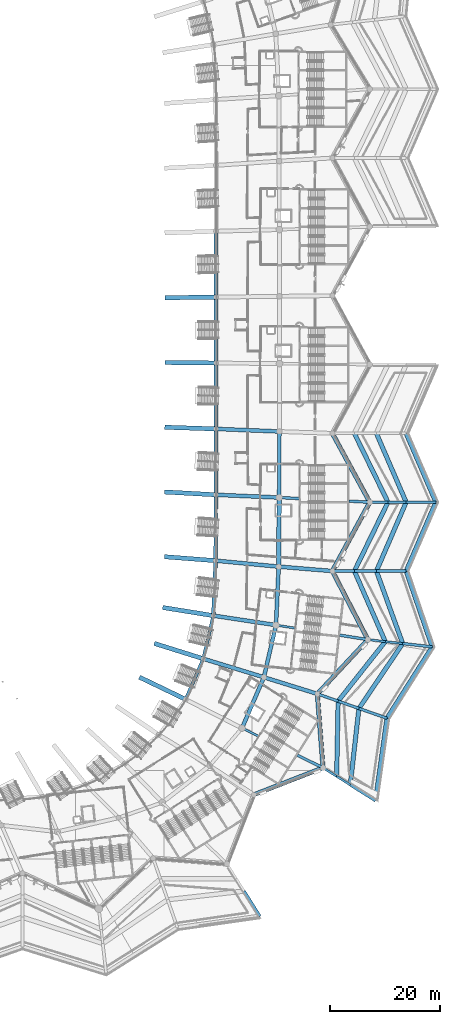
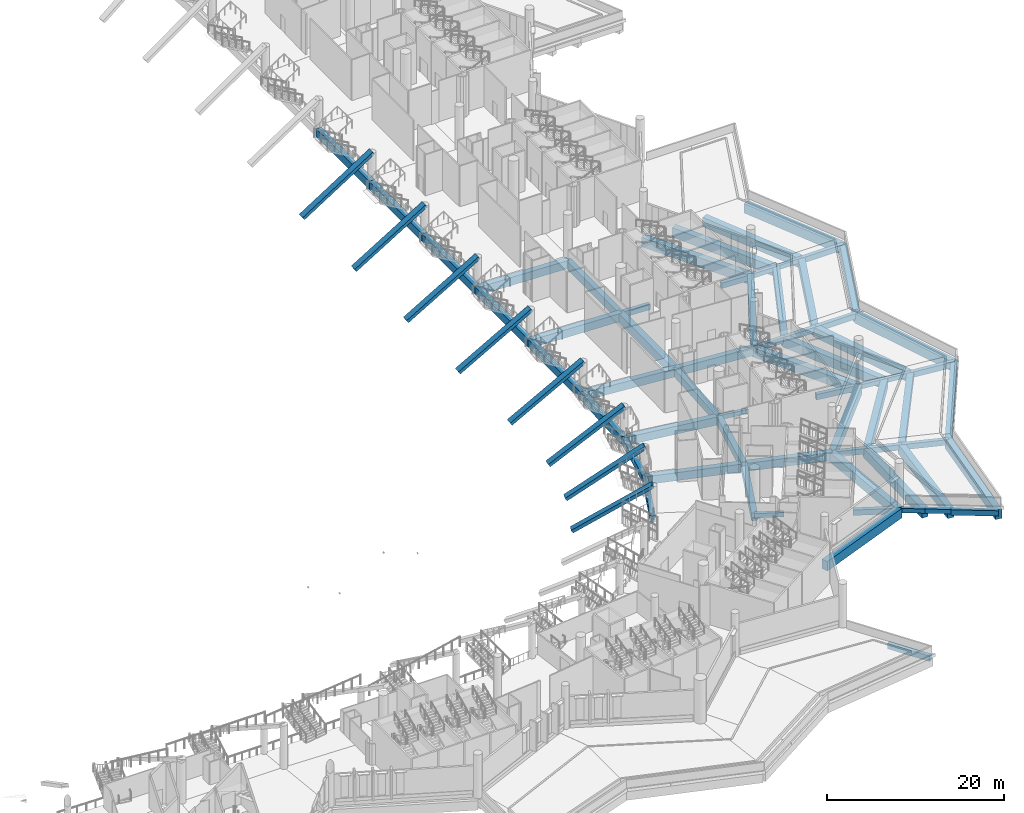
# One storey, part 13 of 173: 71 beams.
"""IFC4 building model written with IfcOpenShell, lengths in metres."""

from ifc_helpers import new_model, si_unit, direction, frame, origin, origin_2d, place, context, subcontext, project, spatial, rectangle, extrude, material, material_profile, profile_set, type_object, element, save


model = new_model("IFC4")

# Units and contexts
model_context = context("Model", 3, precision=1e-05, world=origin(), true_north=direction((0.0, 1.0)))
body_context = subcontext(model_context, "Body", "Model", "MODEL_VIEW")
ifc_project = project(units=[si_unit("LENGTHUNIT", "METRE"), si_unit("AREAUNIT", "SQUARE_METRE"), si_unit("VOLUMEUNIT", "CUBIC_METRE"), si_unit("PLANEANGLEUNIT", "RADIAN"), si_unit("MASSUNIT", "GRAM", prefix="KILO")], contexts=[model_context])

# Site, building, storey
site_placement = place(None, origin())
site = spatial("IfcSite", under=ifc_project, at=site_placement, CompositionType="ELEMENT")
building_placement = place(site_placement, origin())
building = spatial("IfcBuilding", under=site, at=building_placement, Name="Meseta Stadium", CompositionType="ELEMENT")
storey_placement = place(building_placement, frame((0.0, 0.0, 18.0)))
storey = spatial("IfcBuildingStorey", under=building, at=storey_placement, Name="L03", CompositionType="ELEMENT", Elevation=18.0)

# Beams
ifc_material_1 = material(Name="Concrete C40/50", Category="concrete")
ifc_material_profile_1 = material_profile(ifc_material_1, rectangle(XDim=0.39990234375, YDim=0.60009765625, at=origin_2d()), Name="RC 400x600")
ifc_profile_set_1 = profile_set([ifc_material_profile_1], Name="Concrete C40/50")
beam_type_1 = type_object("IfcBeamType", Name="RC beam 400x600", PredefinedType="BEAM", material=ifc_profile_set_1)
beam_1_placement = place(storey_placement, frame((84.36328125, -53.5654296875, -0.64990234375), z_axis=(0.987745905014, -0.156070583799, 0.0), x_axis=(0.156070583799, 0.987745905014, 0.0)))
element("IfcBeam", 1, at=beam_1_placement, inside=storey, type_object=beam_type_1, Name="L03 radial beam frame 0 line P to R", PredefinedType="BEAM", context=body_context, shape_type="SweptSolid", body=[
    extrude(rectangle(XDim=0.39990234375, YDim=0.60009765625, at=origin_2d()), origin(), (0.0, 0.0, 1.0), 3.482177734375),
])
beam_2_placement = place(storey_placement, frame((78.197998046875, -72.27197265625, -0.64990234375), z_axis=(0.898132346212, -0.439725242267, 0.0), x_axis=(0.439725242267, 0.898132346212, 0.0)))
element("IfcBeam", 2, at=beam_2_placement, inside=storey, type_object=beam_type_1, Name="L03 radial beam frame 54 line P to R", PredefinedType="BEAM", context=body_context, shape_type="SweptSolid", body=[
    extrude(rectangle(XDim=0.39990234375, YDim=0.60009765625, at=origin_2d()), origin(), (0.0, 0.0, 1.0), 3.306396484375),
])
beam_3_placement = place(storey_placement, frame((101.0517578125, -56.202880859375, -0.699951171875), z_axis=(0.99371595508, -0.111931231652, 0.0), x_axis=(0.111931231652, 0.99371595508, 0.0)))
element("IfcBeam", 3, at=beam_3_placement, inside=storey, type_object=beam_type_1, Name="L03 radial beam frame 0 line R to M", PredefinedType="BEAM", context=body_context, shape_type="SweptSolid", body=[
    extrude(rectangle(XDim=0.39990234375, YDim=0.60009765625, at=origin_2d()), origin(), (0.0, 0.0, 1.0), 3.18017578125),
])
beam_4_placement = place(storey_placement, frame((104.2119140625, -56.558837890625, -0.699951171875), z_axis=(0.993708376267, -0.111998495247, 0.0), x_axis=(0.111998495247, 0.993708376267, 0.0)))
element("IfcBeam", 4, at=beam_4_placement, inside=storey, type_object=beam_type_1, Name="L03 radial beam frame 0 line M to Q", PredefinedType="BEAM", context=body_context, shape_type="SweptSolid", body=[
    extrude(rectangle(XDim=0.39990234375, YDim=0.60009765625, at=origin_2d()), origin(), (0.0, 0.0, 1.0), 3.180419921875),
])
for number, where, z_axis, x_axis, name in (
    (5, (101.39990234375, -31.25, -0.699951171875), (1.0, 0.0, 0.0), (0.0, 1.0, 0.0), "L03 radial beam frame 2 line R to M"),
    (6, (104.699951171875, -31.25, -0.699951171875), (1.0, 0.0, 0.0), (0.0, 1.0, 0.0), "L03 radial beam frame 2 line M to Q"),
):
    element("IfcBeam", number, at=place(storey_placement, frame(where, z_axis=z_axis, x_axis=x_axis)), inside=storey, type_object=beam_type_1, Name=name, PredefinedType="BEAM", context=body_context, shape_type="SweptSolid", body=[
        extrude(rectangle(XDim=0.39990234375, YDim=0.60009765625, at=origin_2d()), origin(), (0.0, 0.0, 1.0), 3.300048828125),
    ])
beam_5_placement = place(storey_placement, frame((92.908447265625, -79.474609375, -0.699951171875), z_axis=(0.846736663206, -0.532012239693, 0.0), x_axis=(0.532012239693, 0.846736663206, 0.0)))
element("IfcBeam", 7, at=beam_5_placement, inside=storey, type_object=beam_type_1, Name="L03 radial beam frame 54 line R to M", PredefinedType="BEAM", context=body_context, shape_type="SweptSolid", body=[
    extrude(rectangle(XDim=0.39990234375, YDim=0.60009765625, at=origin_2d()), origin(), (0.0, 0.0, 1.0), 2.9189453125),
])
beam_6_placement = place(storey_placement, frame((95.380126953125, -81.027587890625, -0.699951171875), z_axis=(0.846698986635, -0.532072200017, 0.0), x_axis=(0.532072200017, 0.846698986635, 0.0)))
element("IfcBeam", 8, at=beam_6_placement, inside=storey, type_object=beam_type_1, Name="L03 radial beam frame 54 line M to Q", PredefinedType="BEAM", context=body_context, shape_type="SweptSolid", body=[
    extrude(rectangle(XDim=0.39990234375, YDim=0.60009765625, at=origin_2d()), origin(), (0.0, 0.0, 1.0), 2.919189453125),
])
ifc_material_2 = material(Name="Concrete C40/50", Category="concrete")
ifc_material_profile_2 = material_profile(ifc_material_2, rectangle(XDim=0.5, YDim=0.75, at=origin_2d()), Name="RC 500x750")
ifc_profile_set_2 = profile_set([ifc_material_profile_2], Name="Concrete C40/50")
beam_type_2 = type_object("IfcBeamType", Name="RC beam 500x750", PredefinedType="BEAM", material=ifc_profile_set_2)
beam_7_placement = place(storey_placement, frame((95.910400390625, -55.390380859375, -0.72509765625), z_axis=(0.987742039994, -0.156095042932, 0.0), x_axis=(0.156095042932, 0.987742039994, 0.0)))
element("IfcBeam", 9, at=beam_7_placement, inside=storey, type_object=beam_type_2, Name="L03 radial beam frame 0 line P to R", PredefinedType="BEAM", context=body_context, shape_type="SweptSolid", body=[
    extrude(rectangle(XDim=0.5, YDim=0.75, at=origin_2d()), origin(), (0.0, 0.0, 1.0), 5.205078125),
])
beam_8_placement = place(storey_placement, frame((84.940673828125, -30.404052734375, -0.72509765625), z_axis=(0.998683115753, -0.051303355736, 0.0), x_axis=(0.051303355736, 0.998683115753, 0.0)))
element("IfcBeam", 10, at=beam_8_placement, inside=storey, type_object=beam_type_2, Name="L03 radial beam frame 2 line P to R", PredefinedType="BEAM", context=body_context, shape_type="SweptSolid", body=[
    extrude(rectangle(XDim=0.5, YDim=0.75, at=origin_2d()), origin(), (0.0, 0.0, 1.0), 3.664306640625),
])
beam_9_placement = place(storey_placement, frame((97.60009765625, -31.0546875, -0.72509765625), z_axis=(0.998681597522, -0.05133290144, 0.0), x_axis=(0.05133290144, 0.998681597522, 0.0)))
element("IfcBeam", 11, at=beam_9_placement, inside=storey, type_object=beam_type_2, Name="L03 radial beam frame 2 line P to R", PredefinedType="BEAM", context=body_context, shape_type="SweptSolid", body=[
    extrude(rectangle(XDim=0.5, YDim=0.75, at=origin_2d()), origin(), (0.0, 0.0, 1.0), 3.804931640625),
])
beam_10_placement = place(storey_placement, frame((88.212158203125, -77.175048828125, -0.72509765625), z_axis=(0.898112763243, -0.439765237939, 0.0), x_axis=(0.439765237939, 0.898112763243, 0.0)))
element("IfcBeam", 12, at=beam_10_placement, inside=storey, type_object=beam_type_2, Name="L03 radial beam frame 54 line P to R", PredefinedType="BEAM", context=body_context, shape_type="SweptSolid", body=[
    extrude(rectangle(XDim=0.5, YDim=0.75, at=origin_2d()), origin(), (0.0, 0.0, 1.0), 5.22900390625),
])
beam_11_placement = place(storey_placement, frame((107.372314453125, -56.9150390625, -0.77490234375), z_axis=(0.993714415722, -0.111944897098, 0.0), x_axis=(0.111944897098, 0.993714415722, 0.0)))
element("IfcBeam", 13, at=beam_11_placement, inside=storey, type_object=beam_type_2, Name="L03 radial beam frame 0 line Q to O", PredefinedType="BEAM", context=body_context, shape_type="SweptSolid", body=[
    extrude(rectangle(XDim=0.5, YDim=0.75, at=origin_2d()), origin(), (0.0, 0.0, 1.0), 5.39990234375),
])
for number, where, z_axis, x_axis, name in (
    (14, (94.60009765625, -43.75, -0.77490234375), (1.0, 0.0, 0.0), (0.0, 1.0, 0.0), "L03 radial beam frame 1 line R to M"),
    (15, (98.60009765625, -43.75, -0.77490234375), (1.0, 0.0, 0.0), (0.0, 1.0, 0.0), "L03 radial beam frame 1 line M to Q"),
):
    element("IfcBeam", number, at=place(storey_placement, frame(where, z_axis=z_axis, x_axis=x_axis)), inside=storey, type_object=beam_type_2, Name=name, PredefinedType="BEAM", context=body_context, shape_type="SweptSolid", body=[
        extrude(rectangle(XDim=0.5, YDim=0.75, at=origin_2d()), origin(), (0.0, 0.0, 1.0), 4.0),
    ])
for number, where, z_axis, x_axis, name in (
    (16, (102.60009765625, -43.75, -0.77490234375), (1.0, 0.0, 0.0), (0.0, 1.0, 0.0), "L03 radial beam frame 1 line Q to O"),
    (17, (108.0, -31.25, -0.77490234375), (1.0, 0.0, 0.0), (0.0, 1.0, 0.0), "L03 radial beam frame 2 line Q to O"),
):
    element("IfcBeam", number, at=place(storey_placement, frame(where, z_axis=z_axis, x_axis=x_axis)), inside=storey, type_object=beam_type_2, Name=name, PredefinedType="BEAM", context=body_context, shape_type="SweptSolid", body=[
        extrude(rectangle(XDim=0.5, YDim=0.75, at=origin_2d()), origin(), (0.0, 0.0, 1.0), 5.39990234375),
    ])
for number, where, z_axis, x_axis, name in (
    (18, (78.580810546875, -101.851806640625, -0.77490234375), (0.531992833871, -0.846748855747, 0.0), (0.846748855747, 0.531992833871, 0.0), "L03 radial beam frame 52 line Q to O"),
    (19, (97.851806640625, -82.580810546875, -0.77490234375), (0.846748855747, -0.531992833871, 0.0), (0.531992833871, 0.846748855747, 0.0), "L03 radial beam frame 54 line Q to O"),
):
    element("IfcBeam", number, at=place(storey_placement, frame(where, z_axis=z_axis, x_axis=x_axis)), inside=storey, type_object=beam_type_2, Name=name, PredefinedType="BEAM", context=body_context, shape_type="SweptSolid", body=[
        extrude(rectangle(XDim=0.5, YDim=0.75, at=origin_2d()), origin(), (0.0, 0.0, 1.0), 5.400146484375),
    ])
for number, where, z_axis, x_axis, name in (
    (20, (91.872802734375, -66.051513671875, -0.77490234375), (0.943865968666, -0.330328674497, 0.0), (0.330328674497, 0.943865968666, 0.0), "L03 radial beam frame 55 line R to M"),
    (21, (95.648193359375, -67.372802734375, -0.77490234375), (0.94389165523, -0.330255269735, 0.0), (0.330255269735, 0.94389165523, 0.0), "L03 radial beam frame 55 line M to Q"),
):
    element("IfcBeam", number, at=place(storey_placement, frame(where, z_axis=z_axis, x_axis=x_axis)), inside=storey, type_object=beam_type_2, Name=name, PredefinedType="BEAM", context=body_context, shape_type="SweptSolid", body=[
        extrude(rectangle(XDim=0.5, YDim=0.75, at=origin_2d()), origin(), (0.0, 0.0, 1.0), 4.0),
    ])
beam_12_placement = place(storey_placement, frame((99.423828125, -68.69384765625, -0.77490234375), z_axis=(0.943885842652, -0.330271882003, 0.0), x_axis=(0.330271882003, 0.943885842652, 0.0)))
element("IfcBeam", 22, at=beam_12_placement, inside=storey, type_object=beam_type_2, Name="L03 radial beam frame 55 line Q to O", PredefinedType="BEAM", context=body_context, shape_type="SweptSolid", body=[
    extrude(rectangle(XDim=0.5, YDim=0.75, at=origin_2d()), origin(), (0.0, 0.0, 1.0), 5.39990234375),
])
ifc_material_3 = material(Name="Concrete C40/50", Category="concrete")
ifc_material_profile_3 = material_profile(ifc_material_3, rectangle(XDim=0.60009765625, YDim=0.89990234375, at=origin_2d()), Name="RC 600x900")
ifc_profile_set_3 = profile_set([ifc_material_profile_3], Name="Concrete C40/50")
beam_type_3 = type_object("IfcBeamType", Name="RC beam 600x900", PredefinedType="BEAM", material=ifc_profile_set_3)
beam_13_placement = place(storey_placement, frame((67.972412109375, -67.057861328125, -0.800048828125), z_axis=(0.397502661884, 0.91760102103, 0.0), x_axis=(-0.91760102103, 0.397502661884, 0.0)))
element("IfcBeam", 23, at=beam_13_placement, inside=storey, type_object=beam_type_3, Name="L03 ring beam frame 54 line E", PredefinedType="BEAM", context=body_context, shape_type="SweptSolid", body=[
    extrude(rectangle(XDim=0.60009765625, YDim=0.89990234375, at=origin_2d()), origin(), (0.0, 0.0, 1.0), 8.04345703125),
])
beam_14_placement = place(storey_placement, frame((71.169677734375, -59.67724609375, -0.800048828125), z_axis=(0.226697740265, 0.973965160855, 0.0), x_axis=(-0.973965160855, 0.226697740265, 0.0)))
element("IfcBeam", 24, at=beam_14_placement, inside=storey, type_object=beam_type_3, Name="L03 ring beam frame 55 line E", PredefinedType="BEAM", context=body_context, shape_type="SweptSolid", body=[
    extrude(rectangle(XDim=0.60009765625, YDim=0.89990234375, at=origin_2d()), origin(), (0.0, 0.0, 1.0), 8.039306640625),
])
ifc_material_4 = material(Name="Concrete C40/50", Category="concrete")
ifc_material_profile_4 = material_profile(ifc_material_4, rectangle(XDim=0.699951171875, YDim=1.10009765625, at=origin_2d()), Name="RC 700x1100")
ifc_profile_set_4 = profile_set([ifc_material_profile_4], Name="Concrete C40/50")
beam_type_4 = type_object("IfcBeamType", Name="RC beam 700x1100", PredefinedType="BEAM", material=ifc_profile_set_4)
beam_15_placement = place(storey_placement, frame((72.9921875, -51.84716796875, -0.89990234375), z_axis=(0.041287079546, 0.999147325004, 0.0), x_axis=(-0.999147325004, 0.041287079546, 0.0)))
element("IfcBeam", 25, at=beam_15_placement, inside=storey, type_object=beam_type_4, Name="L03 ring beam frame 0 line E", PredefinedType="BEAM", context=body_context, shape_type="SweptSolid", body=[
    extrude(rectangle(XDim=0.699951171875, YDim=1.10009765625, at=origin_2d()), origin(), (0.0, 0.0, 1.0), 9.993408203125),
])
beam_16_placement = place(storey_placement, frame((84.36328125, -53.5654296875, -0.89990234375), z_axis=(0.046171416705, 0.998933531462, 0.0), x_axis=(-0.998933531462, 0.046171416705, 0.0)))
element("IfcBeam", 26, at=beam_16_placement, inside=storey, type_object=beam_type_4, Name="L03 ring beam frame 0 line P", PredefinedType="BEAM", context=body_context, shape_type="SweptSolid", body=[
    extrude(rectangle(XDim=0.699951171875, YDim=1.10009765625, at=origin_2d()), origin(), (0.0, 0.0, 1.0), 10.628173828125),
])
beam_17_placement = place(storey_placement, frame((73.40478515625, -41.8623046875, -0.89990234375), z_axis=(0.003899441576, 0.999992397149, 0.0), x_axis=(-0.999992397149, 0.003899441576, 0.0)))
element("IfcBeam", 27, at=beam_17_placement, inside=storey, type_object=beam_type_4, Name="L03 ring beam frame 1 line E", PredefinedType="BEAM", context=body_context, shape_type="SweptSolid", body=[
    extrude(rectangle(XDim=0.699951171875, YDim=1.10009765625, at=origin_2d()), origin(), (0.0, 0.0, 1.0), 11.958251953125),
])
beam_18_placement = place(storey_placement, frame((73.451416015625, -29.904052734375, -0.89990234375), z_axis=(0.002592357078, 0.999996639837, 0.0), x_axis=(-0.999996639837, 0.002592357078, 0.0)))
element("IfcBeam", 28, at=beam_18_placement, inside=storey, type_object=beam_type_4, Name="L03 ring beam frame 2 line E", PredefinedType="BEAM", context=body_context, shape_type="SweptSolid", body=[
    extrude(rectangle(XDim=0.699951171875, YDim=1.10009765625, at=origin_2d()), origin(), (0.0, 0.0, 1.0), 11.96044921875),
])
beam_19_placement = place(storey_placement, frame((84.940673828125, -30.404052734375, -0.89990234375), z_axis=(0.002707369213, 0.999996335069, 0.0), x_axis=(-0.999996335069, 0.002707369213, 0.0)))
element("IfcBeam", 29, at=beam_19_placement, inside=storey, type_object=beam_type_4, Name="L03 ring beam frame 2 line P", PredefinedType="BEAM", context=body_context, shape_type="SweptSolid", body=[
    extrude(rectangle(XDim=0.699951171875, YDim=1.10009765625, at=origin_2d()), origin(), (0.0, 0.0, 1.0), 11.993408203125),
])
for number, where, z_axis, x_axis, name in (
    (30, (73.482421875, -17.943603515625, -0.89990234375), (0.001306174648, 0.999999146954, 0.0), (-0.999999146954, 0.001306174648, 0.0), "L03 ring beam frame 3 line E"),
    (31, (73.498046875, -5.981201171875, -0.89990234375), (0.0, 1.0, 0.0), (-1.0, 0.0, 0.0), "L03 ring beam frame 4 line E"),
    (32, (73.498046875, 5.981201171875, -0.89990234375), (-0.001306174648, 0.999999146954, 0.0), (-0.999999146954, -0.001306174648, 0.0), "L03 ring beam frame 5 line E"),
):
    element("IfcBeam", number, at=place(storey_placement, frame(where, z_axis=z_axis, x_axis=x_axis)), inside=storey, type_object=beam_type_4, Name=name, PredefinedType="BEAM", context=body_context, shape_type="SweptSolid", body=[
        extrude(rectangle(XDim=0.699951171875, YDim=1.10009765625, at=origin_2d()), origin(), (0.0, 0.0, 1.0), 11.96240234375),
    ])
beam_20_placement = place(storey_placement, frame((78.197998046875, -72.27197265625, -0.89990234375), z_axis=(0.394921198525, 0.918714997676, 0.0), x_axis=(-0.918714997676, 0.394921198525, 0.0)))
element("IfcBeam", 33, at=beam_20_placement, inside=storey, type_object=beam_type_4, Name="L03 ring beam frame 54 line P", PredefinedType="BEAM", context=body_context, shape_type="SweptSolid", body=[
    extrude(rectangle(XDim=0.699951171875, YDim=1.10009765625, at=origin_2d()), origin(), (0.0, 0.0, 1.0), 10.0556640625),
])
beam_21_placement = place(storey_placement, frame((82.169189453125, -63.03369140625, -0.89990234375), z_axis=(0.225749180431, 0.974185458491, 0.0), x_axis=(-0.974185458491, 0.225749180431, 0.0)))
element("IfcBeam", 34, at=beam_21_placement, inside=storey, type_object=beam_type_4, Name="L03 ring beam frame 55 line P", PredefinedType="BEAM", context=body_context, shape_type="SweptSolid", body=[
    extrude(rectangle(XDim=0.699951171875, YDim=1.10009765625, at=origin_2d()), origin(), (0.0, 0.0, 1.0), 9.71923828125),
])
beam_22_placement = place(storey_placement, frame((72.9921875, -51.84716796875, -0.89990234375), z_axis=(0.988775073655, -0.149411692039, 0.0), x_axis=(0.149411692039, 0.988775073655, 0.0)))
element("IfcBeam", 35, at=beam_22_placement, inside=storey, type_object=beam_type_4, Name="L03 radial beam frame 0 line E to P", PredefinedType="BEAM", context=body_context, shape_type="SweptSolid", body=[
    extrude(rectangle(XDim=0.699951171875, YDim=1.10009765625, at=origin_2d()), origin(), (0.0, 0.0, 1.0), 11.500244140625),
])
beam_23_placement = place(storey_placement, frame((73.40478515625, -41.8623046875, -0.89990234375), z_axis=(0.995530039578, -0.094445435561, 0.0), x_axis=(0.094445435561, 0.995530039578, 0.0)))
element("IfcBeam", 36, at=beam_23_placement, inside=storey, type_object=beam_type_4, Name="L03 radial beam frame 1 line E to P", PredefinedType="BEAM", context=body_context, shape_type="SweptSolid", body=[
    extrude(rectangle(XDim=0.699951171875, YDim=1.10009765625, at=origin_2d()), origin(), (0.0, 0.0, 1.0), 11.500732421875),
])
beam_24_placement = place(storey_placement, frame((84.85400390625, -42.948486328125, -0.89990234375), z_axis=(0.996635391437, -0.081962775303, 0.0), x_axis=(0.081962775303, 0.996635391437, 0.0)))
element("IfcBeam", 37, at=beam_24_placement, inside=storey, type_object=beam_type_4, Name="L03 radial beam frame 1 line P to R", PredefinedType="BEAM", context=body_context, shape_type="SweptSolid", body=[
    extrude(rectangle(XDim=0.699951171875, YDim=1.10009765625, at=origin_2d()), origin(), (0.0, 0.0, 1.0), 9.779052734375),
])
for number, where, z_axis, x_axis, name in (
    (38, (73.451416015625, -29.904052734375, -0.89990234375), (0.999054395094, -0.04347776033, 0.0), (0.04347776033, 0.999054395094, 0.0), "L03 radial beam frame 2 line E to P"),
    (39, (73.482421875, -17.943603515625, -0.89990234375), (0.999175011921, -0.040611519947, 0.0), (0.040611519947, 0.999175011921, 0.0), "L03 radial beam frame 3 line E to P"),
    (40, (71.169677734375, -59.67724609375, -0.89990234375), (0.956461260307, -0.291859311198, 0.0), (0.291859311198, 0.956461260307, 0.0), "L03 radial beam frame 55 line E to P"),
):
    element("IfcBeam", number, at=place(storey_placement, frame(where, z_axis=z_axis, x_axis=x_axis)), inside=storey, type_object=beam_type_4, Name=name, PredefinedType="BEAM", context=body_context, shape_type="SweptSolid", body=[
        extrude(rectangle(XDim=0.699951171875, YDim=1.10009765625, at=origin_2d()), origin(), (0.0, 0.0, 1.0), 11.500244140625),
    ])
beam_25_placement = place(storey_placement, frame((82.169189453125, -63.03369140625, -0.89990234375), z_axis=(0.954886907796, -0.296969684176, 0.0), x_axis=(0.296969684176, 0.954886907796, 0.0)))
element("IfcBeam", 41, at=beam_25_placement, inside=storey, type_object=beam_type_4, Name="L03 radial beam frame 55 line P to R", PredefinedType="BEAM", context=body_context, shape_type="SweptSolid", body=[
    extrude(rectangle(XDim=0.699951171875, YDim=1.10009765625, at=origin_2d()), origin(), (0.0, 0.0, 1.0), 10.162109375),
])
ifc_material_5 = material(Name="Concrete C40/50", Category="concrete")
ifc_material_profile_5 = material_profile(ifc_material_5, rectangle(XDim=0.800048828125, YDim=1.300048828125, at=origin_2d()), Name="RC 800x1300")
ifc_profile_set_5 = profile_set([ifc_material_profile_5], Name="Concrete C40/50")
beam_type_5 = type_object("IfcBeamType", Name="RC beam 800x1300", PredefinedType="BEAM", material=ifc_profile_set_5)
beam_26_placement = place(storey_placement, frame((101.0517578125, -56.202880859375, -1.0), z_axis=(-0.460014301189, 0.887911506121, 0.0), x_axis=(-0.887911506121, -0.460014301189, 0.0)))
element("IfcBeam", 42, at=beam_26_placement, inside=storey, type_object=beam_type_5, Name="L03 ring beam frame 0 line R", PredefinedType="BEAM", context=body_context, shape_type="SweptSolid", body=[
    extrude(rectangle(XDim=0.800048828125, YDim=1.300048828125, at=origin_2d()), origin(), (0.0, 0.0, 1.0), 14.02490234375),
])
beam_27_placement = place(storey_placement, frame((84.85400390625, -42.948486328125, -1.0), z_axis=(0.006908869398, 0.999976133477, 0.0), x_axis=(-0.999976133477, 0.006908869398, 0.0)))
element("IfcBeam", 43, at=beam_27_placement, inside=storey, type_object=beam_type_5, Name="L03 ring beam frame 1 line P", PredefinedType="BEAM", context=body_context, shape_type="SweptSolid", body=[
    extrude(rectangle(XDim=0.800048828125, YDim=1.300048828125, at=origin_2d()), origin(), (0.0, 0.0, 1.0), 12.544677734375),
])
for number, where, z_axis, x_axis, name in (
    (44, (94.60009765625, -43.75, -1.0), (0.47785649891, 0.878437912689, 0.0), (-0.878437912689, 0.47785649891, 0.0), "L03 ring beam frame 1 line R"),
    (45, (101.39990234375, -31.25, -1.0), (-0.47785649891, 0.878437912689, 0.0), (-0.878437912689, -0.47785649891, 0.0), "L03 ring beam frame 2 line R"),
):
    element("IfcBeam", number, at=place(storey_placement, frame(where, z_axis=z_axis, x_axis=x_axis)), inside=storey, type_object=beam_type_5, Name=name, PredefinedType="BEAM", context=body_context, shape_type="SweptSolid", body=[
        extrude(rectangle(XDim=0.800048828125, YDim=1.300048828125, at=origin_2d()), origin(), (0.0, 0.0, 1.0), 14.229736328125),
    ])
for number, where, z_axis, x_axis, name in (
    (46, (80.365478515625, -84.365478515625, -1.0), (0.93167689837, 0.363287980868, 0.0), (-0.363287980868, 0.93167689837, 0.0), "L03 ring beam frame 53 line R"),
    (47, (92.908447265625, -79.474609375, -1.0), (-0.076925307894, 0.997036858399, 0.0), (-0.997036858399, -0.076925307894, 0.0), "L03 ring beam frame 54 line R"),
    (48, (91.872802734375, -66.051513671875, -1.0), (0.681797952889, 0.73154053301, 0.0), (-0.73154053301, 0.681797952889, 0.0), "L03 ring beam frame 55 line R"),
):
    element("IfcBeam", number, at=place(storey_placement, frame(where, z_axis=z_axis, x_axis=x_axis)), inside=storey, type_object=beam_type_5, Name=name, PredefinedType="BEAM", context=body_context, shape_type="SweptSolid", body=[
        extrude(rectangle(XDim=0.800048828125, YDim=1.300048828125, at=origin_2d()), origin(), (0.0, 0.0, 1.0), 13.462890625),
    ])
beam_28_placement = place(storey_placement, frame((95.380126953125, -81.027587890625, -1.050048828125), z_axis=(0.019627900499, 0.999807354205, 0.0), x_axis=(-0.999807354205, 0.019627900499, 0.0)))
element("IfcBeam", 49, at=beam_28_placement, inside=storey, type_object=beam_type_5, Name="L03 ring beam frame 54 line M", PredefinedType="BEAM", context=body_context, shape_type="SweptSolid", body=[
    extrude(rectangle(XDim=0.800048828125, YDim=1.300048828125, at=origin_2d()), origin(), (0.0, 0.0, 1.0), 13.657470703125),
])
beam_29_placement = place(storey_placement, frame((97.851806640625, -82.580810546875, -1.050048828125), z_axis=(0.112482832054, 0.993653668283, 0.0), x_axis=(-0.993653668283, 0.112482832054, 0.0)))
element("IfcBeam", 50, at=beam_29_placement, inside=storey, type_object=beam_type_5, Name="L03 ring beam frame 54 line Q", PredefinedType="BEAM", context=body_context, shape_type="SweptSolid", body=[
    extrude(rectangle(XDim=0.800048828125, YDim=1.300048828125, at=origin_2d()), origin(), (0.0, 0.0, 1.0), 13.9755859375),
])
beam_30_placement = place(storey_placement, frame((102.42431640625, -85.45361328125, -1.050048828125), z_axis=(0.138631693814, 0.990344007641, 0.0), x_axis=(-0.990344007641, 0.138631693814, 0.0)))
element("IfcBeam", 51, at=beam_30_placement, inside=storey, type_object=beam_type_5, Name="L03 ring beam frame 54 line O", PredefinedType="BEAM", context=body_context, shape_type="SweptSolid", body=[
    extrude(rectangle(XDim=0.800048828125, YDim=1.300048828125, at=origin_2d()), origin(), (0.0, 0.0, 1.0), 15.122314453125),
])
beam_31_placement = place(storey_placement, frame((95.648193359375, -67.372802734375, -1.050048828125), z_axis=(0.620821710153, 0.783951786912, 0.0), x_axis=(-0.783951786912, 0.620821710153, 0.0)))
element("IfcBeam", 52, at=beam_31_placement, inside=storey, type_object=beam_type_5, Name="L03 ring beam frame 55 line M", PredefinedType="BEAM", context=body_context, shape_type="SweptSolid", body=[
    extrude(rectangle(XDim=0.800048828125, YDim=1.300048828125, at=origin_2d()), origin(), (0.0, 0.0, 1.0), 13.794189453125),
])
beam_32_placement = place(storey_placement, frame((99.423828125, -68.69384765625, -1.050048828125), z_axis=(0.559366030795, 0.828920770395, 0.0), x_axis=(-0.828920770395, 0.559366030795, 0.0)))
element("IfcBeam", 53, at=beam_32_placement, inside=storey, type_object=beam_type_5, Name="L03 ring beam frame 55 line Q", PredefinedType="BEAM", context=body_context, shape_type="SweptSolid", body=[
    extrude(rectangle(XDim=0.800048828125, YDim=1.300048828125, at=origin_2d()), origin(), (0.0, 0.0, 1.0), 14.209716796875),
])
beam_33_placement = place(storey_placement, frame((104.520751953125, -70.477294921875, -1.050048828125), z_axis=(0.535561122927, 0.844496467493, 0.0), x_axis=(-0.844496467493, 0.535561122927, 0.0)))
element("IfcBeam", 54, at=beam_33_placement, inside=storey, type_object=beam_type_5, Name="L03 ring beam frame 55 line O", PredefinedType="BEAM", context=body_context, shape_type="SweptSolid", body=[
    extrude(rectangle(XDim=0.800048828125, YDim=1.300048828125, at=origin_2d()), origin(), (0.0, 0.0, 1.0), 15.34375),
])
beam_34_placement = place(storey_placement, frame((104.2119140625, -56.558837890625, -1.050048828125), z_axis=(-0.401295934377, 0.915948455456, 0.0), x_axis=(-0.915948455456, -0.401295934377, 0.0)))
element("IfcBeam", 55, at=beam_34_placement, inside=storey, type_object=beam_type_5, Name="L03 ring beam frame 0 line M", PredefinedType="BEAM", context=body_context, shape_type="SweptSolid", body=[
    extrude(rectangle(XDim=0.800048828125, YDim=1.300048828125, at=origin_2d()), origin(), (0.0, 0.0, 1.0), 13.984130859375),
])
beam_35_placement = place(storey_placement, frame((107.372314453125, -56.9150390625, -1.050048828125), z_axis=(-0.340792389295, 0.940138578827, 0.0), x_axis=(-0.940138578827, -0.340792389295, 0.0)))
element("IfcBeam", 56, at=beam_35_placement, inside=storey, type_object=beam_type_5, Name="L03 ring beam frame 0 line Q", PredefinedType="BEAM", context=body_context, shape_type="SweptSolid", body=[
    extrude(rectangle(XDim=0.800048828125, YDim=1.300048828125, at=origin_2d()), origin(), (0.0, 0.0, 1.0), 14.00341796875),
])
beam_36_placement = place(storey_placement, frame((112.73828125, -57.51953125, -1.050048828125), z_axis=(-0.325387125895, 0.945580889349, 0.0), x_axis=(-0.945580889349, -0.325387125895, 0.0)))
element("IfcBeam", 57, at=beam_36_placement, inside=storey, type_object=beam_type_5, Name="L03 ring beam frame 0 line O", PredefinedType="BEAM", context=body_context, shape_type="SweptSolid", body=[
    extrude(rectangle(XDim=0.800048828125, YDim=1.300048828125, at=origin_2d()), origin(), (0.0, 0.0, 1.0), 14.56201171875),
])
beam_37_placement = place(storey_placement, frame((98.60009765625, -43.75, -1.050048828125), z_axis=(0.438556770405, 0.898703487882, 0.0), x_axis=(-0.898703487882, 0.438556770405, 0.0)))
element("IfcBeam", 58, at=beam_37_placement, inside=storey, type_object=beam_type_5, Name="L03 ring beam frame 1 line M", PredefinedType="BEAM", context=body_context, shape_type="SweptSolid", body=[
    extrude(rectangle(XDim=0.800048828125, YDim=1.300048828125, at=origin_2d()), origin(), (0.0, 0.0, 1.0), 13.908935546875),
])
for number, where, z_axis, x_axis, name in (
    (59, (102.60009765625, -43.75, -1.050048828125), (0.396570645327, 0.918004206562, 0.0), (-0.918004206562, 0.396570645327, 0.0), "L03 ring beam frame 1 line Q"),
    (60, (108.0, -43.75, -1.050048828125), (0.396570645327, 0.918004206562, 0.0), (-0.918004206562, 0.396570645327, 0.0), "L03 ring beam frame 1 line O"),
):
    element("IfcBeam", number, at=place(storey_placement, frame(where, z_axis=z_axis, x_axis=x_axis)), inside=storey, type_object=beam_type_5, Name=name, PredefinedType="BEAM", context=body_context, shape_type="SweptSolid", body=[
        extrude(rectangle(XDim=0.800048828125, YDim=1.300048828125, at=origin_2d()), origin(), (0.0, 0.0, 1.0), 13.616455078125),
    ])
beam_38_placement = place(storey_placement, frame((104.699951171875, -31.25, -1.050048828125), z_axis=(-0.438556770405, 0.898703487882, 0.0), x_axis=(-0.898703487882, -0.438556770405, 0.0)))
element("IfcBeam", 61, at=beam_38_placement, inside=storey, type_object=beam_type_5, Name="L03 ring beam frame 2 line M", PredefinedType="BEAM", context=body_context, shape_type="SweptSolid", body=[
    extrude(rectangle(XDim=0.800048828125, YDim=1.300048828125, at=origin_2d()), origin(), (0.0, 0.0, 1.0), 13.908935546875),
])
for number, where, z_axis, x_axis, name in (
    (62, (108.0, -31.25, -1.050048828125), (-0.396570645327, 0.918004206562, 0.0), (-0.918004206562, -0.396570645327, 0.0), "L03 ring beam frame 2 line Q"),
    (63, (113.39990234375, -31.25, -1.050048828125), (-0.396570645327, 0.918004206562, 0.0), (-0.918004206562, -0.396570645327, 0.0), "L03 ring beam frame 2 line O"),
):
    element("IfcBeam", number, at=place(storey_placement, frame(where, z_axis=z_axis, x_axis=x_axis)), inside=storey, type_object=beam_type_5, Name=name, PredefinedType="BEAM", context=body_context, shape_type="SweptSolid", body=[
        extrude(rectangle(XDim=0.800048828125, YDim=1.300048828125, at=origin_2d()), origin(), (0.0, 0.0, 1.0), 13.616455078125),
    ])
ifc_material_6 = material(Name="Concrete C40/50", Category="concrete")
ifc_material_profile_6 = material_profile(ifc_material_6, rectangle(XDim=0.800048828125, YDim=0.449951171875, at=origin_2d()), Name="RC 800x450")
ifc_profile_set_6 = profile_set([ifc_material_profile_6], Name="Concrete C40/50")
beam_type_6 = type_object("IfcBeamType", Name="RC raker upper rear 800x450", PredefinedType="USERDEFINED", material=ifc_profile_set_6)
beam_39_placement = place(storey_placement, frame((63.9091796875, -50.38427734375, -1.880126953125), z_axis=(0.837420529896, -0.134873234468, 0.529656555451), x_axis=(0.159008836168, 0.987277159677, 0.0)))
element("IfcBeam", 64, at=beam_39_placement, inside=storey, type_object=beam_type_6, Name="Raker upper rear frame 0 upper tier", ObjectType="RAKER", PredefinedType="USERDEFINED", context=body_context, shape_type="SweptSolid", body=[
    extrude(rectangle(XDim=0.800048828125, YDim=0.449951171875, at=origin_2d()), origin(), (0.0, 0.0, 1.0), 10.846435546875),
])
beam_40_placement = place(storey_placement, frame((64.231689453125, -41.158203125, -1.885009765625), z_axis=(0.84553341702, -0.064900816402, 0.529963323951), x_axis=(0.076532125793, 0.997067115956, 0.0)))
element("IfcBeam", 65, at=beam_40_placement, inside=storey, type_object=beam_type_6, Name="Raker upper rear frame 1 upper tier", ObjectType="RAKER", PredefinedType="USERDEFINED", context=body_context, shape_type="SweptSolid", body=[
    extrude(rectangle(XDim=0.800048828125, YDim=0.449951171875, at=origin_2d()), origin(), (0.0, 0.0, 1.0), 10.848876953125),
])
beam_41_placement = place(storey_placement, frame((64.26513671875, -29.400390625, -1.9619140625), z_axis=(0.846738668341, -0.046424691652, 0.529979599174), x_axis=(0.054745427775, 0.998500344586, 0.0)))
element("IfcBeam", 66, at=beam_41_placement, inside=storey, type_object=beam_type_6, Name="Raker upper rear frame 2 upper tier", ObjectType="RAKER", PredefinedType="USERDEFINED", context=body_context, shape_type="SweptSolid", body=[
    extrude(rectangle(XDim=0.800048828125, YDim=0.449951171875, at=origin_2d()), origin(), (0.0, 0.0, 1.0), 10.84912109375),
])
for number, where, z_axis, x_axis, name in (
    (67, (64.287353515625, -17.64111328125, -2.038818359375), (0.84756113567, -0.027882225184, 0.529964812814), (0.032879221322, 0.999459332242, 0.0), "Raker upper rear frame 3 upper tier"),
    (68, (64.298583984375, -5.880615234375, -2.115966796875), (0.847958063329, -0.009271482235, 0.52998222843), (0.010933238898, 0.999940230357, 0.0), "Raker upper rear frame 4 upper tier"),
    (69, (64.298583984375, 5.880615234375, -2.115966796875), (0.847958063329, 0.009271482235, 0.52998222843), (-0.010933238898, 0.999940230357, 0.0), "Raker upper rear frame 5 upper tier"),
):
    element("IfcBeam", number, at=place(storey_placement, frame(where, z_axis=z_axis, x_axis=x_axis)), inside=storey, type_object=beam_type_6, Name=name, ObjectType="RAKER", PredefinedType="USERDEFINED", context=body_context, shape_type="SweptSolid", body=[
        extrude(rectangle(XDim=0.800048828125, YDim=0.449951171875, at=origin_2d()), origin(), (0.0, 0.0, 1.0), 10.848876953125),
    ])
for number, where, z_axis, x_axis, name in (
    (70, (59.681396484375, -63.070556640625, -1.796875), (0.764771201297, -0.367792793274, 0.529011787093), (0.433403864315, 0.901199806034, 0.0), "Raker upper rear frame 54 upper tier"),
    (71, (62.39111328125, -56.9248046875, -2.052978515625), (0.809744587488, -0.253888268747, 0.529012712537), (0.299179955662, 0.954196706204, 0.0), "Raker upper rear frame 55 upper tier"),
):
    element("IfcBeam", number, at=place(storey_placement, frame(where, z_axis=z_axis, x_axis=x_axis)), inside=storey, type_object=beam_type_6, Name=name, ObjectType="RAKER", PredefinedType="USERDEFINED", context=body_context, shape_type="SweptSolid", body=[
        extrude(rectangle(XDim=0.800048828125, YDim=0.449951171875, at=origin_2d()), origin(), (0.0, 0.0, 1.0), 10.841064453125),
    ])

save(model, "model.ifc")
